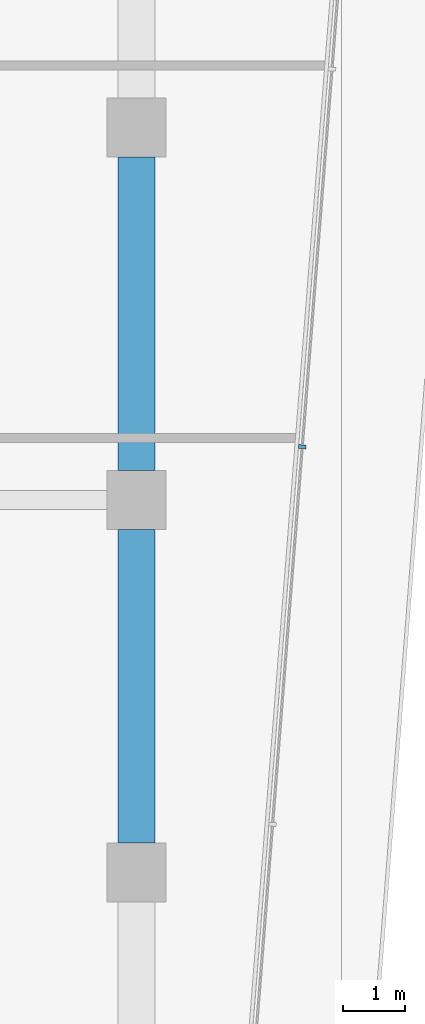
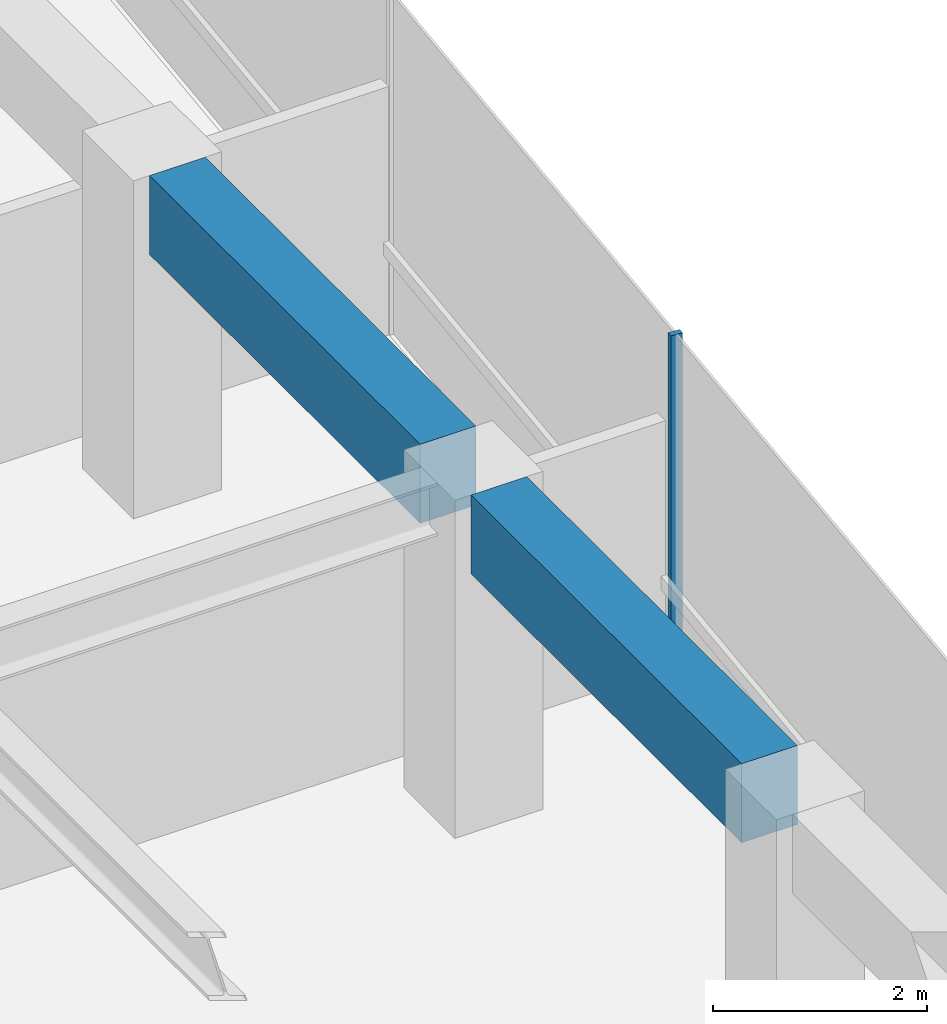
# One storey, part 17 of 29: 2 beams, 1 member, 1 element without a shape of its own.
"""IFC4 building model written with IfcOpenShell, lengths in metres."""

import ifcopenshell
import ifcopenshell.guid

model = None  # the IFC model being written
_history = None  # IfcOwnerHistory: only IFC2X3 demands one
_inside = {}  # id of a spatial element -> (the spatial element, [elements in it])
_under = {}  # id of a project, library or spatial element -> (it, [spatial elements below it])
_declared = {}  # id of a project -> (the project, [libraries it declares])
_typed = {}  # id of a type object -> (the type object, [elements of that type])
_made_of = {}  # id of a material, layer set ... -> (it, [elements and type objects made of it])


def new_model(schema):
    """Start an empty IFC model of exactly this schema.

    Asked for "IFC4X3", IfcOpenShell would pick the latest addendum, in which some entities
    have other attributes; the version numbers below select the first issue.
    IFC2X3 requires an IfcOwnerHistory on every rooted entity: one is made here for all.
    """
    global model, _history
    if schema == "IFC4X3":
        model = ifcopenshell.file(schema_version=(4, 3, 0, 0))
    else:
        model = ifcopenshell.file(schema=schema)
    _inside.clear()
    _under.clear()
    _declared.clear()
    _typed.clear()
    _made_of.clear()
    _history = None
    if model.schema == "IFC2X3":
        org = make("IfcOrganization", Name="unknown")
        user = make(
            "IfcPersonAndOrganization",
            ThePerson=make("IfcPerson", FamilyName="unknown"),
            TheOrganization=org,
        )
        app = make(
            "IfcApplication",
            ApplicationDeveloper=org,
            Version="unknown",
            ApplicationFullName="unknown",
            ApplicationIdentifier="unknown",
        )
        _history = make(
            "IfcOwnerHistory",
            OwningUser=user,
            OwningApplication=app,
            ChangeAction="ADDED",
            CreationDate=0,
        )
    return model


def make(cls, **values):
    """One entity of the class cls with the attributes given. An attribute that is None is left unset."""
    return model.create_entity(
        cls, **{name: value for name, value in values.items() if value is not None}
    )


def rooted(cls, **values):
    """An entity with a GlobalId (a new one), such as an element, a storey or a relation."""
    return make(cls, GlobalId=ifcopenshell.guid.new(), OwnerHistory=_history, **values)


def si_unit(unit_type, name, prefix=None):
    """IfcSIUnit, for example si_unit("LENGTHUNIT", "METRE", prefix="MILLI")."""
    return make("IfcSIUnit", UnitType=unit_type, Prefix=prefix, Name=name)


def assignment(units):
    """IfcUnitAssignment: the units of a project."""
    return None if units is None else make("IfcUnitAssignment", Units=units)


def point(xyz):
    """IfcCartesianPoint."""
    return None if xyz is None else make("IfcCartesianPoint", Coordinates=xyz)


def direction(xyz):
    """IfcDirection."""
    return None if xyz is None else make("IfcDirection", DirectionRatios=xyz)


def frame(location, z_axis=None, x_axis=None):
    """IfcAxis2Placement3D, a coordinate frame: its origin and axes. An axis left out is left unset."""
    return make(
        "IfcAxis2Placement3D",
        Location=point(location),
        Axis=direction(z_axis),
        RefDirection=direction(x_axis),
    )


def frame_2d(location, x_axis=None):
    """IfcAxis2Placement2D, a coordinate frame in the plane: its origin and x axis."""
    return make(
        "IfcAxis2Placement2D", Location=point(location), RefDirection=direction(x_axis)
    )


def origin():
    """The frame at (0, 0, 0) with its axes left unset."""
    return frame((0.0, 0.0, 0.0))


def origin_2d():
    """The frame at (0, 0) in the plane with its x axis left unset."""
    return frame_2d((0.0, 0.0))


def place(relative_to, where):
    """IfcLocalPlacement: puts the frame where relative to a parent placement (None: the world)."""
    return make(
        "IfcLocalPlacement", PlacementRelTo=relative_to, RelativePlacement=where
    )


def context(
    kind, dimensions, precision=None, world=None, true_north=None, identifier=None
):
    """IfcGeometricRepresentationContext, for example the 3D "Model" context."""
    return make(
        "IfcGeometricRepresentationContext",
        ContextIdentifier=identifier,
        ContextType=kind,
        CoordinateSpaceDimension=dimensions,
        Precision=precision,
        WorldCoordinateSystem=world,
        TrueNorth=true_north,
    )


def subcontext(parent, identifier, kind, view, scale=None):
    """IfcGeometricRepresentationSubContext, for example "Body" below "Model"."""
    return make(
        "IfcGeometricRepresentationSubContext",
        ContextIdentifier=identifier,
        ContextType=kind,
        ParentContext=parent,
        TargetScale=scale,
        TargetView=view,
    )


def project(units=None, contexts=None):
    """IfcProject with its units and contexts."""
    return rooted(
        "IfcProject",
        Name="project",
        RepresentationContexts=contexts,
        UnitsInContext=assignment(units),
    )


def spatial(cls, under=None, at=None, **own):
    """A site, building, storey or space (cls), placed at a placement, below another one or the project."""
    s = rooted(cls, ObjectPlacement=at, **own)
    if under is not None:
        _under.setdefault(under.id(), (under, []))[1].append(s)
    return s


def profile(cls, at=None, kind="AREA", **sizes):
    """A parametric profile (cls). Its sizes go by their IFC names, for example OverallWidth=200.0."""
    return make(cls, ProfileType=kind, Position=at, **sizes)


def rectangle(**sizes):
    """IfcRectangleProfileDef."""
    return profile("IfcRectangleProfileDef", **sizes)


def extrude(swept, where, along, depth):
    """IfcExtrudedAreaSolid: the profile swept, set in the frame where, extruded along a direction by depth."""
    return make(
        "IfcExtrudedAreaSolid",
        SweptArea=swept,
        Position=where,
        ExtrudedDirection=direction(along),
        Depth=depth,
    )


def shape(context_of_items, identifier, shape_type, items):
    """IfcShapeRepresentation: the items that make up one representation, for example the "Body"."""
    return make(
        "IfcShapeRepresentation",
        ContextOfItems=context_of_items,
        RepresentationIdentifier=identifier,
        RepresentationType=shape_type,
        Items=items,
    )


def material(Name=None, Category=None):
    """IfcMaterial."""
    return make("IfcMaterial", Name=Name, Category=Category)


def layer(
    of_material, thickness, ventilated=None, Name=None, Category=None, Priority=None
):
    """IfcMaterialLayer: one layer of a wall or slab, of a material (None: an air gap)."""
    return make(
        "IfcMaterialLayer",
        Material=of_material,
        LayerThickness=thickness,
        IsVentilated=ventilated,
        Name=Name,
        Category=Category,
        Priority=Priority,
    )


def layer_set(layers, Name=None):
    """IfcMaterialLayerSet."""
    return make("IfcMaterialLayerSet", MaterialLayers=layers, LayerSetName=Name)


def material_profile(
    of_material, cross_section, Name=None, Category=None, Priority=None
):
    """IfcMaterialProfile: a cross section and its material."""
    return make(
        "IfcMaterialProfile",
        Name=Name,
        Material=of_material,
        Profile=cross_section,
        Priority=Priority,
        Category=Category,
    )


def profile_set(profiles, Name=None, composite=None):
    """IfcMaterialProfileSet."""
    return make(
        "IfcMaterialProfileSet",
        Name=Name,
        MaterialProfiles=profiles,
        CompositeProfile=composite,
    )


def made_of(thing, what):
    """Note that an element or type object is made of a material, layer set ...; save() writes the relation."""
    if what is not None:
        _made_of.setdefault(what.id(), (what, []))[1].append(thing)
    return thing


def type_object(cls, material=None, **own):
    """A type object (cls), such as IfcWallType, which elements share."""
    return made_of(rooted(cls, **own), material)


def element(
    cls,
    number,
    at=None,
    inside=None,
    cuts=None,
    type_object=None,
    material=None,
    context=None,
    identifier="Body",
    shape_type=None,
    held_by="IfcProductDefinitionShape",
    body=None,
    shapes=None,
    **own,
):
    """One element of the class cls, such as IfcWall. Its Tag is "e" and its number.

    at: its placement. inside: the storey or other place that contains it. cuts: it is an
    opening in that element (IfcRelVoidsElement). A single representation is given by context,
    identifier, shape_type and body (its items); several are given by shapes. held_by: the class
    of the entity that holds the representations. save() writes the other relations.
    """
    e = rooted(cls, Tag="e%d" % number, ObjectPlacement=at, **own)
    if body is not None:
        shapes = [shape(context, identifier, shape_type, body)]
    if shapes is not None:
        e.Representation = make(held_by, Representations=shapes)
    if inside is not None:
        _inside.setdefault(inside.id(), (inside, []))[1].append(e)
    if cuts is not None:
        rooted(
            "IfcRelVoidsElement", RelatingBuildingElement=cuts, RelatedOpeningElement=e
        )
    if type_object is not None:
        _typed.setdefault(type_object.id(), (type_object, []))[1].append(e)
    return made_of(e, material)


def aggregate(whole, parts):
    """IfcRelAggregates: a whole, such as a stair, and the parts it consists of."""
    return rooted("IfcRelAggregates", RelatingObject=whole, RelatedObjects=parts)


def save(model, path):
    """Write the relations noted so far, then the file.

    IfcRelAggregates (storeys below a building ...), IfcRelContainedInSpatialStructure (elements
    in a storey), IfcRelDefinesByType, IfcRelAssociatesMaterial and IfcRelDeclares: one each for
    every whole, place, type object, material and project.
    """
    for whole, parts in _under.values():
        aggregate(whole, parts)
    for where, things in _inside.values():
        rooted(
            "IfcRelContainedInSpatialStructure",
            RelatedElements=things,
            RelatingStructure=where,
        )
    for kind, things in _typed.values():
        rooted("IfcRelDefinesByType", RelatedObjects=things, RelatingType=kind)
    for what, things in _made_of.values():
        rooted("IfcRelAssociatesMaterial", RelatedObjects=things, RelatingMaterial=what)
    for by, libraries in _declared.values():
        rooted("IfcRelDeclares", RelatingContext=by, RelatedDefinitions=libraries)
    model.write(path)


model = new_model("IFC4")

# Units and contexts
model_context = context("Model", 3, precision=1e-05, world=origin(), true_north=direction((0.0, 1.0)))
body_context = subcontext(model_context, "Body", "Model", "MODEL_VIEW")
ifc_project = project(units=[si_unit("LENGTHUNIT", "METRE"), si_unit("AREAUNIT", "SQUARE_METRE"), si_unit("VOLUMEUNIT", "CUBIC_METRE"), si_unit("PLANEANGLEUNIT", "RADIAN"), si_unit("MASSUNIT", "GRAM", prefix="KILO")], contexts=[model_context])

# Site, building, storey
site_placement = place(None, origin())
site = spatial("IfcSite", under=ifc_project, at=site_placement, CompositionType="ELEMENT")
building_placement = place(site_placement, origin())
building = spatial("IfcBuilding", under=site, at=building_placement, Name="Welwitschia Terrace Campus", CompositionType="ELEMENT")
storey_placement = place(building_placement, frame((0.0, 0.0, 33.199951171875)))
storey = spatial("IfcBuildingStorey", under=building, at=storey_placement, Name="L07", CompositionType="ELEMENT", Elevation=33.199951171875)

# Curtain wall, member
ifc_material_1 = material(Name="Bronze anodised aluminium", Category="aluminium")
ifc_layer = layer(ifc_material_1, 0.1201171875)
ifc_layer_set = layer_set([ifc_layer], Name="Bronze anodised aluminium")
curtain_wall_type = type_object("IfcCurtainWallType", Name="Curtain wall CW2 tower 6000", PredefinedType="NOTDEFINED", material=ifc_layer_set)
curtain_wall_placement = place(storey_placement, origin())
curtain_wall = element("IfcCurtainWall", 1, at=curtain_wall_placement, inside=storey, type_object=curtain_wall_type, Name="CW L07.14.0", PredefinedType="NOTDEFINED")
ifc_material_2 = material(Name="Bronze anodised aluminium", Category="aluminium")
ifc_material_profile_1 = material_profile(ifc_material_2, rectangle(XDim=0.1201171875, YDim=0.06005859375, at=origin_2d()))
ifc_profile_set_1 = profile_set([ifc_material_profile_1], Name="Bronze anodised aluminium")
member_type = type_object("IfcMemberType", Name="Mullion 60x120", PredefinedType="MULLION", material=ifc_profile_set_1)
member_placement = place(storey_placement, frame((26.67041015625, 44.8583984375, 0.0), z_axis=(0.0, 0.0, 1.0), x_axis=(-0.996917333733, 0.078459095728, 0.0)))
member = element("IfcMember", 2, at=member_placement, type_object=member_type, Name="Mullion L07.14.0.3", PredefinedType="MULLION", context=body_context, shape_type="SweptSolid", body=[
    extrude(rectangle(XDim=0.1201171875, YDim=0.06005859375, at=origin_2d()), origin(), (0.0, 0.0, 1.0), 3.85009765625),
])
aggregate(curtain_wall, [member])

# Beams
ifc_material_3 = material(Name="Concrete C60/75", Category="concrete")
ifc_material_profile_2 = material_profile(ifc_material_3, rectangle(XDim=0.60009765625, YDim=0.89990234375, at=origin_2d()))
ifc_profile_set_2 = profile_set([ifc_material_profile_2], Name="Concrete C60/75")
beam_type = type_object("IfcBeamType", Name="Ring spandrel 600x900", PredefinedType="SPANDREL", material=ifc_profile_set_2)
for number, where, z_axis, x_axis, name in (
    (3, (24.0, 38.4755859375, 3.400146484375), (0.0, 1.0, 0.0), (-1.0, 0.0, 0.0), "Spandrel SP2"),
    (4, (24.0, 44.4755859375, 3.400146484375), (0.0, 1.0, 0.0), (-1.0, 0.0, 0.0), "Spandrel SP2"),
):
    element("IfcBeam", number, at=place(storey_placement, frame(where, z_axis=z_axis, x_axis=x_axis)), inside=storey, type_object=beam_type, Name=name, PredefinedType="SPANDREL", context=body_context, shape_type="SweptSolid", body=[
        extrude(rectangle(XDim=0.60009765625, YDim=0.89990234375, at=origin_2d()), origin(), (0.0, 0.0, 1.0), 5.048828125),
    ])

save(model, "model.ifc")
